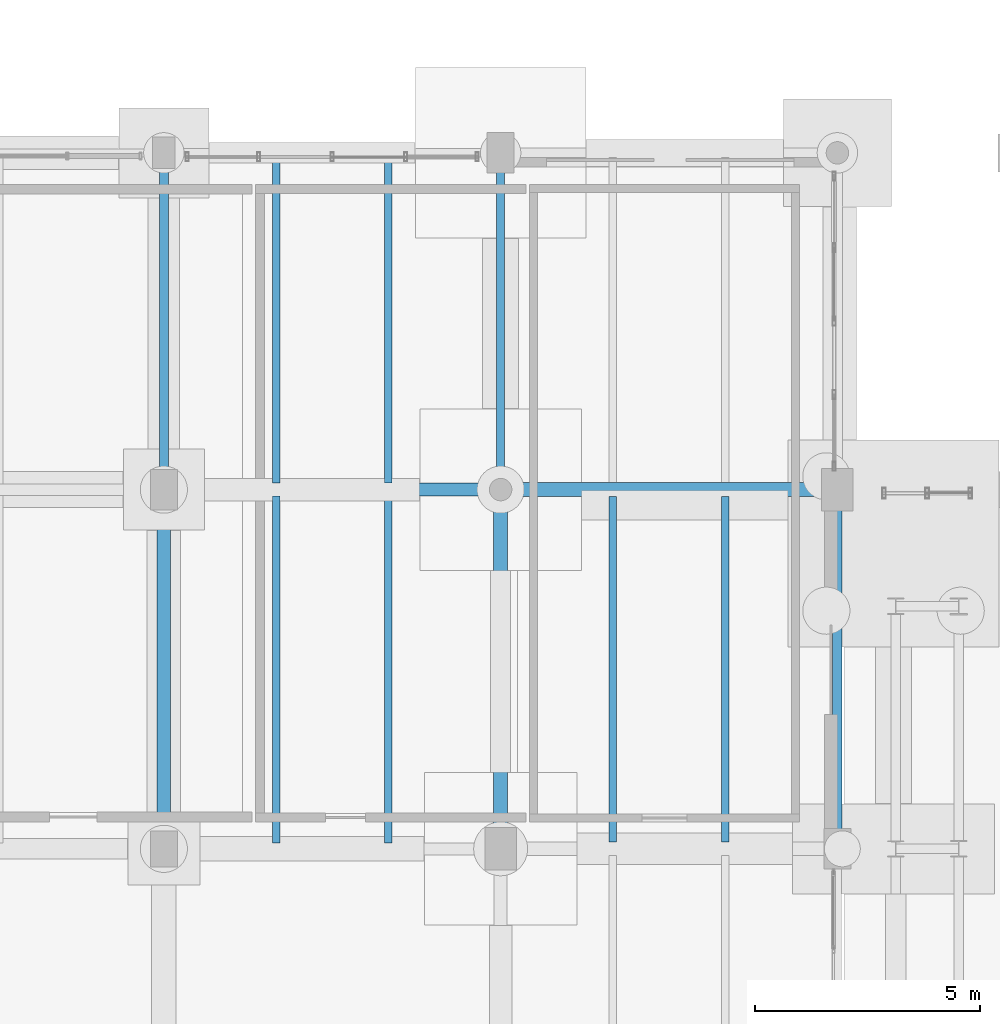
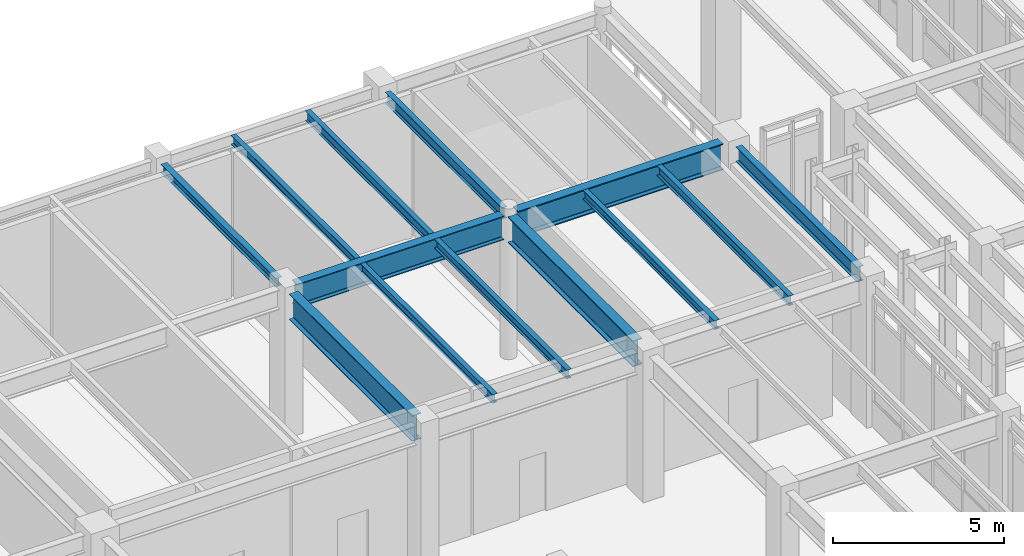
# One storey, part 44 of 203: 13 beams.
"""IFC4 building model written with IfcOpenShell, lengths in metres."""

from ifc_helpers import new_model, si_unit, direction, frame, origin, origin_2d, place, context, subcontext, project, spatial, i_section, extrude, material, material_profile, profile_set, type_object, element, save


model = new_model("IFC4")

# Units and contexts
model_context = context("Model", 3, precision=1e-05, world=origin(), true_north=direction((0.0, 1.0)))
body_context = subcontext(model_context, "Body", "Model", "MODEL_VIEW")
ifc_project = project(units=[si_unit("LENGTHUNIT", "METRE"), si_unit("AREAUNIT", "SQUARE_METRE"), si_unit("VOLUMEUNIT", "CUBIC_METRE"), si_unit("PLANEANGLEUNIT", "RADIAN"), si_unit("MASSUNIT", "GRAM", prefix="KILO"), si_unit("THERMODYNAMICTEMPERATUREUNIT", "KELVIN"), si_unit("POWERUNIT", "WATT")], contexts=[model_context])

# Site, building, storey
site_placement = place(None, origin())
site = spatial("IfcSite", under=ifc_project, at=site_placement, CompositionType="ELEMENT")
building_placement = place(site_placement, origin())
building = spatial("IfcBuilding", under=site, at=building_placement, Name="Tepalcoro Natatorium and Aquatics Centre", CompositionType="ELEMENT")
storey_placement = place(building_placement, origin())
storey = spatial("IfcBuildingStorey", under=building, at=storey_placement, Name="L00", CompositionType="ELEMENT", Elevation=0.0)

# Beams
ifc_material = material(Name="Steel ASTM A992 Grade 50 (Fy 345 MPa)", Category="steel")
ifc_material_profile_1 = material_profile(ifc_material, i_section(OverallWidth=0.202880859375, OverallDepth=0.304931640625, WebThickness=0.007080078125, FlangeThickness=0.012939453125, FilletRadius=0.013916015625, at=origin_2d()), Name="W12X40")
ifc_profile_set_1 = profile_set([ifc_material_profile_1], Name="Steel ASTM A992 Grade 50 (Fy 345 MPa)")
beam_type_1 = type_object("IfcBeamType", Name="BM_W12x40", PredefinedType="BEAM", material=ifc_profile_set_1)
beam_1_placement = place(storey_placement, frame((21.0, 44.43505859375, 4.992431640625), z_axis=(0.0, 1.0, 0.0), x_axis=(-1.0, 0.0, 0.0)))
element("IfcBeam", 1, at=beam_1_placement, inside=storey, type_object=beam_type_1, Name="V3 L00 Grid Girder Y", PredefinedType="BEAM", context=body_context, shape_type="SweptSolid", body=[
    extrude(i_section(OverallWidth=0.202880859375, OverallDepth=0.304931640625, WebThickness=0.007080078125, FlangeThickness=0.012939453125, FilletRadius=0.013916015625, at=origin_2d()), origin(), (0.0, 0.0, 1.0), 6.72998046875),
])
ifc_material_profile_2 = material_profile(ifc_material, i_section(OverallWidth=0.177978515625, OverallDepth=0.406005859375, WebThickness=0.008056640625, FlangeThickness=0.012939453125, FilletRadius=0.013916015625, at=origin_2d()), Name="W16X40")
ifc_profile_set_2 = profile_set([ifc_material_profile_2], Name="Steel ASTM A992 Grade 50 (Fy 345 MPa)")
beam_type_2 = type_object("IfcBeamType", Name="BM_W16x40", PredefinedType="BEAM", material=ifc_profile_set_2)
beam_2_placement = place(storey_placement, frame((28.5, 44.235107421875, 4.94189453125), z_axis=(0.0, 1.0, 0.0), x_axis=(-1.0, 0.0, 0.0)))
element("IfcBeam", 2, at=beam_2_placement, inside=storey, type_object=beam_type_2, Name="V3 L00 Grid Girder Y", PredefinedType="BEAM", context=body_context, shape_type="SweptSolid", body=[
    extrude(i_section(OverallWidth=0.177978515625, OverallDepth=0.406005859375, WebThickness=0.008056640625, FlangeThickness=0.012939453125, FilletRadius=0.013916015625, at=origin_2d()), origin(), (0.0, 0.0, 1.0), 6.829833984375),
])
ifc_material_profile_3 = material_profile(ifc_material, i_section(OverallWidth=0.2919921875, OverallDepth=0.845947265625, WebThickness=0.014892578125, FlangeThickness=0.02392578125, FilletRadius=0.013916015625, at=origin_2d()), Name="W33X141")
ifc_profile_set_3 = profile_set([ifc_material_profile_3], Name="Steel ASTM A992 Grade 50 (Fy 345 MPa)")
beam_type_3 = type_object("IfcBeamType", Name="BM_W33x141", PredefinedType="BEAM", material=ifc_profile_set_3)
beam_3_placement = place(storey_placement, frame((21.284912109375, 44.0, 4.721923828125), z_axis=(1.0, 0.0, 0.0), x_axis=(0.0, 1.0, 0.0)))
element("IfcBeam", 3, at=beam_3_placement, inside=storey, type_object=beam_type_3, Name="V3 L00 Grid Girder X", PredefinedType="BEAM", context=body_context, shape_type="SweptSolid", body=[
    extrude(i_section(OverallWidth=0.2919921875, OverallDepth=0.845947265625, WebThickness=0.014892578125, FlangeThickness=0.02392578125, FilletRadius=0.013916015625, at=origin_2d()), origin(), (0.0, 0.0, 1.0), 6.97998046875),
])
ifc_material_profile_4 = material_profile(ifc_material, i_section(OverallWidth=0.304931640625, OverallDepth=0.9189453125, WebThickness=0.01708984375, FlangeThickness=0.028076171875, FilletRadius=0.013916015625, at=origin_2d()), Name="W36X170")
ifc_profile_set_4 = profile_set([ifc_material_profile_4], Name="Steel ASTM A992 Grade 50 (Fy 345 MPa)")
beam_type_4 = type_object("IfcBeamType", Name="BM_W36x170", PredefinedType="BEAM", material=ifc_profile_set_4)
beam_4_placement = place(storey_placement, frame((21.0, 36.385009765625, 4.685546875), z_axis=(0.0, 1.0, 0.0), x_axis=(-1.0, 0.0, 0.0)))
element("IfcBeam", 4, at=beam_4_placement, inside=storey, type_object=beam_type_4, Name="V3 L00 Grid Girder Y", PredefinedType="BEAM", context=body_context, shape_type="SweptSolid", body=[
    extrude(i_section(OverallWidth=0.304931640625, OverallDepth=0.9189453125, WebThickness=0.01708984375, FlangeThickness=0.028076171875, FilletRadius=0.013916015625, at=origin_2d()), origin(), (0.0, 0.0, 1.0), 7.179931640625),
])
ifc_material_profile_5 = material_profile(ifc_material, i_section(OverallWidth=0.31005859375, OverallDepth=0.931884765625, WebThickness=0.02099609375, FlangeThickness=0.034912109375, FilletRadius=0.013916015625, at=origin_2d()), Name="W36X210")
ifc_profile_set_5 = profile_set([ifc_material_profile_5], Name="Steel ASTM A992 Grade 50 (Fy 345 MPa)")
beam_type_5 = type_object("IfcBeamType", Name="BM_W36x210", PredefinedType="BEAM", material=ifc_profile_set_5)
beam_5_placement = place(storey_placement, frame((28.735107421875, 44.0, 4.678955078125), z_axis=(1.0, 0.0, 0.0), x_axis=(0.0, 1.0, 0.0)))
element("IfcBeam", 5, at=beam_5_placement, inside=storey, type_object=beam_type_5, Name="V3 L00 Grid Girder X", PredefinedType="BEAM", context=body_context, shape_type="SweptSolid", body=[
    extrude(i_section(OverallWidth=0.31005859375, OverallDepth=0.931884765625, WebThickness=0.02099609375, FlangeThickness=0.034912109375, FilletRadius=0.013916015625, at=origin_2d()), origin(), (0.0, 0.0, 1.0), 6.929931640625),
])
beam_6_placement = place(storey_placement, frame((28.5, 36.4599609375, 4.678955078125), z_axis=(0.0, 1.0, 0.0), x_axis=(-1.0, 0.0, 0.0)))
element("IfcBeam", 6, at=beam_6_placement, inside=storey, type_object=beam_type_5, Name="V3 L00 Grid Girder Y", PredefinedType="BEAM", context=body_context, shape_type="SweptSolid", body=[
    extrude(i_section(OverallWidth=0.31005859375, OverallDepth=0.931884765625, WebThickness=0.02099609375, FlangeThickness=0.034912109375, FilletRadius=0.013916015625, at=origin_2d()), origin(), (0.0, 0.0, 1.0), 7.304931640625),
])
ifc_material_profile_6 = material_profile(ifc_material, i_section(OverallWidth=0.1650390625, OverallDepth=0.31005859375, WebThickness=0.006103515625, FlangeThickness=0.010009765625, FilletRadius=0.013916015625, at=origin_2d()), Name="W12X26")
ifc_profile_set_6 = profile_set([ifc_material_profile_6], Name="Steel ASTM A992 Grade 50 (Fy 345 MPa)")
beam_type_6 = type_object("IfcBeamType", Name="JS_W12x26", PredefinedType="JOIST", material=ifc_profile_set_6)
beam_7_placement = place(storey_placement, frame((23.5, 36.133544921875, 4.989990234375), z_axis=(0.0, 1.0, 0.0), x_axis=(-1.0, 0.0, 0.0)))
element("IfcBeam", 7, at=beam_7_placement, inside=storey, type_object=beam_type_6, Name="V3 L00 Floor Joist", PredefinedType="JOIST", context=body_context, shape_type="SweptSolid", body=[
    extrude(i_section(OverallWidth=0.1650390625, OverallDepth=0.31005859375, WebThickness=0.006103515625, FlangeThickness=0.010009765625, FilletRadius=0.013916015625, at=origin_2d()), origin(), (0.0, 0.0, 1.0), 7.720458984375),
])
ifc_material_profile_7 = material_profile(ifc_material, i_section(OverallWidth=0.1669921875, OverallDepth=0.318115234375, WebThickness=0.008056640625, FlangeThickness=0.012939453125, FilletRadius=0.013916015625, at=origin_2d()), Name="W12X35")
ifc_profile_set_7 = profile_set([ifc_material_profile_7], Name="Steel ASTM A992 Grade 50 (Fy 345 MPa)")
beam_type_7 = type_object("IfcBeamType", Name="JS_W12x35", PredefinedType="JOIST", material=ifc_profile_set_7)
beam_8_placement = place(storey_placement, frame((26.0, 36.133544921875, 4.986083984375), z_axis=(0.0, 1.0, 0.0), x_axis=(-1.0, 0.0, 0.0)))
element("IfcBeam", 8, at=beam_8_placement, inside=storey, type_object=beam_type_7, Name="V3 L00 Floor Joist", PredefinedType="JOIST", context=body_context, shape_type="SweptSolid", body=[
    extrude(i_section(OverallWidth=0.1669921875, OverallDepth=0.318115234375, WebThickness=0.008056640625, FlangeThickness=0.012939453125, FilletRadius=0.013916015625, at=origin_2d()), origin(), (0.0, 0.0, 1.0), 7.720458984375),
])
beam_9_placement = place(storey_placement, frame((23.5, 44.14599609375, 4.986083984375), z_axis=(0.0, 1.0, 0.0), x_axis=(-1.0, 0.0, 0.0)))
element("IfcBeam", 9, at=beam_9_placement, inside=storey, type_object=beam_type_7, Name="V3 L00 Floor Joist", PredefinedType="JOIST", context=body_context, shape_type="SweptSolid", body=[
    extrude(i_section(OverallWidth=0.1669921875, OverallDepth=0.318115234375, WebThickness=0.008056640625, FlangeThickness=0.012939453125, FilletRadius=0.013916015625, at=origin_2d()), origin(), (0.0, 0.0, 1.0), 7.258544921875),
])
beam_10_placement = place(storey_placement, frame((31.0, 36.152587890625, 4.986083984375), z_axis=(0.0, 1.0, 0.0), x_axis=(-1.0, 0.0, 0.0)))
element("IfcBeam", 10, at=beam_10_placement, inside=storey, type_object=beam_type_7, Name="V3 L00 Floor Joist", PredefinedType="JOIST", context=body_context, shape_type="SweptSolid", body=[
    extrude(i_section(OverallWidth=0.1669921875, OverallDepth=0.318115234375, WebThickness=0.008056640625, FlangeThickness=0.012939453125, FilletRadius=0.013916015625, at=origin_2d()), origin(), (0.0, 0.0, 1.0), 7.6923828125),
])
ifc_material_profile_8 = material_profile(ifc_material, i_section(OverallWidth=0.1708984375, OverallDepth=0.35107421875, WebThickness=0.007080078125, FlangeThickness=0.010009765625, FilletRadius=0.013916015625, at=origin_2d()), Name="W14X30")
ifc_profile_set_8 = profile_set([ifc_material_profile_8], Name="Steel ASTM A992 Grade 50 (Fy 345 MPa)")
beam_type_8 = type_object("IfcBeamType", Name="JS_W14x30", PredefinedType="JOIST", material=ifc_profile_set_8)
beam_11_placement = place(storey_placement, frame((26.0, 44.14599609375, 4.969482421875), z_axis=(0.0, 1.0, 0.0), x_axis=(-1.0, 0.0, 0.0)))
element("IfcBeam", 11, at=beam_11_placement, inside=storey, type_object=beam_type_8, Name="V3 L00 Floor Joist", PredefinedType="JOIST", context=body_context, shape_type="SweptSolid", body=[
    extrude(i_section(OverallWidth=0.1708984375, OverallDepth=0.35107421875, WebThickness=0.007080078125, FlangeThickness=0.010009765625, FilletRadius=0.013916015625, at=origin_2d()), origin(), (0.0, 0.0, 1.0), 7.258544921875),
])
beam_12_placement = place(storey_placement, frame((33.5, 36.152587890625, 4.969482421875), z_axis=(0.0, 1.0, 0.0), x_axis=(-1.0, 0.0, 0.0)))
element("IfcBeam", 12, at=beam_12_placement, inside=storey, type_object=beam_type_8, Name="V3 L00 Floor Joist", PredefinedType="JOIST", context=body_context, shape_type="SweptSolid", body=[
    extrude(i_section(OverallWidth=0.1708984375, OverallDepth=0.35107421875, WebThickness=0.007080078125, FlangeThickness=0.010009765625, FilletRadius=0.013916015625, at=origin_2d()), origin(), (0.0, 0.0, 1.0), 7.6923828125),
])
ifc_material_profile_9 = material_profile(ifc_material, i_section(OverallWidth=0.2099609375, OverallDepth=0.535888671875, WebThickness=0.010986328125, FlangeThickness=0.01708984375, FilletRadius=0.013916015625, at=origin_2d()), Name="W21X68")
ifc_profile_set_9 = profile_set([ifc_material_profile_9], Name="Steel ASTM A992 Grade 50 (Fy 345 MPa)")
beam_type_9 = type_object("IfcBeamType", Name="SP_W21x68", PredefinedType="SPANDREL", material=ifc_profile_set_9)
beam_13_placement = place(storey_placement, frame((36.0, 36.43505859375, 4.876953125), z_axis=(0.0, 1.0, 0.0), x_axis=(-1.0, 0.0, 0.0)))
element("IfcBeam", 13, at=beam_13_placement, inside=storey, type_object=beam_type_9, Name="V3 L00 Grid Girder Y", PredefinedType="SPANDREL", context=body_context, shape_type="SweptSolid", body=[
    extrude(i_section(OverallWidth=0.2099609375, OverallDepth=0.535888671875, WebThickness=0.010986328125, FlangeThickness=0.01708984375, FilletRadius=0.013916015625, at=origin_2d()), origin(), (0.0, 0.0, 1.0), 7.10498046875),
])

save(model, "model.ifc")
